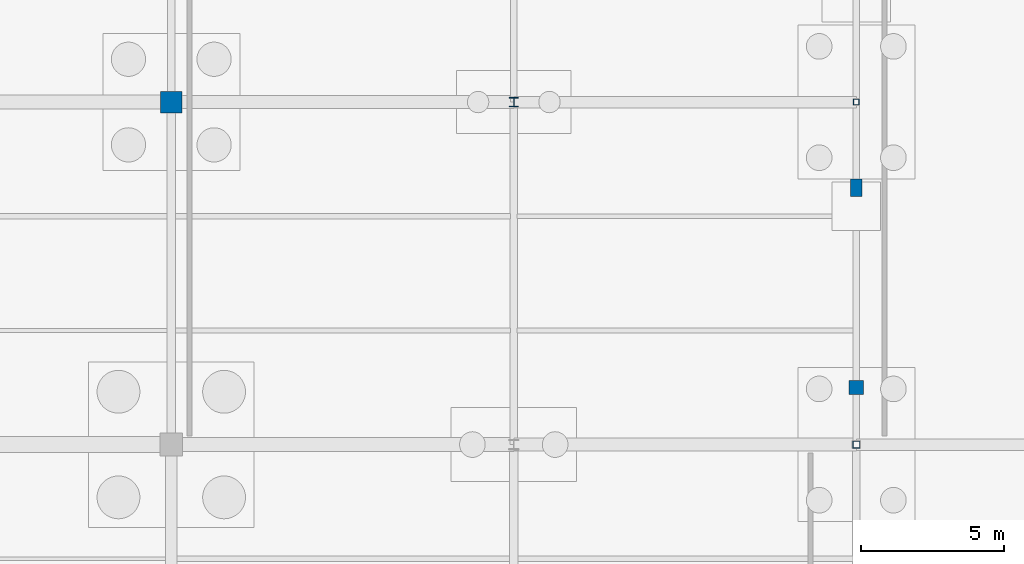
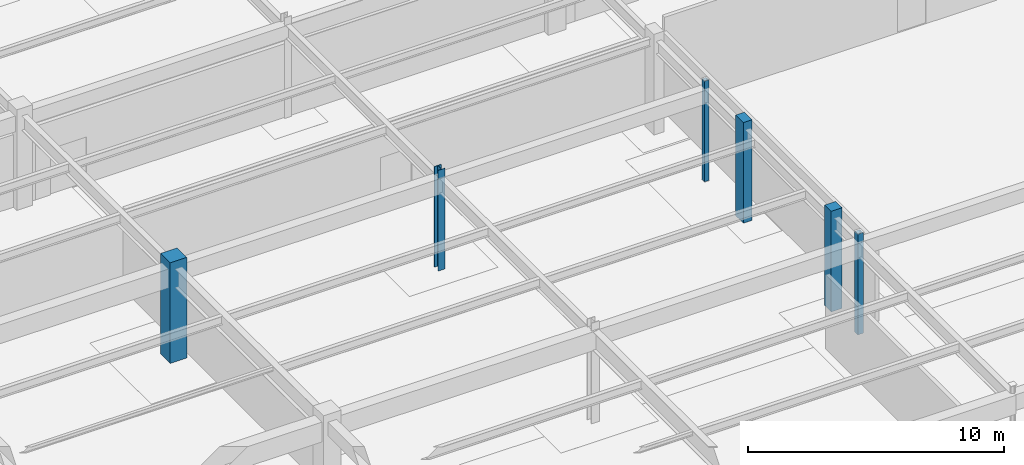
# One storey, part 27 of 136: 6 columns.
"""IFC4 building model written with IfcOpenShell, lengths in metres."""

from ifc_helpers import new_model, si_unit, direction, frame, origin, origin_2d, place, context, subcontext, project, spatial, rectangle, hollow_rectangle, i_section, extrude, material, material_profile, profile_set, type_object, element, save


model = new_model("IFC4")

# Units and contexts
model_context = context("Model", 3, precision=1e-05, world=origin(), true_north=direction((0.0, 1.0)))
body_context = subcontext(model_context, "Body", "Model", "MODEL_VIEW")
ifc_project = project(units=[si_unit("LENGTHUNIT", "METRE"), si_unit("AREAUNIT", "SQUARE_METRE"), si_unit("VOLUMEUNIT", "CUBIC_METRE"), si_unit("PLANEANGLEUNIT", "RADIAN"), si_unit("MASSUNIT", "GRAM", prefix="KILO")], contexts=[model_context])

# Site, building, storey
site_placement = place(None, origin())
site = spatial("IfcSite", under=ifc_project, at=site_placement, CompositionType="ELEMENT")
building_placement = place(site_placement, origin())
building = spatial("IfcBuilding", under=site, at=building_placement, Name="Tarnwether General Hospital", CompositionType="ELEMENT")
storey_placement = place(building_placement, frame((0.0, 0.0, -4.800048828125)))
storey = spatial("IfcBuildingStorey", under=building, at=storey_placement, Name="LG", CompositionType="ELEMENT", Elevation=-4.800048828125)

# Columns
ifc_material_1 = material(Name="Steel Grade 350 (350 MPa)", Category="steel")
ifc_material_profile_1 = material_profile(ifc_material_1, i_section(OverallWidth=0.31103515625, OverallDepth=0.326904296875, WebThickness=0.015625, FlangeThickness=0.02490234375, at=origin_2d()), Name="310UC158")
ifc_profile_set_1 = profile_set([ifc_material_profile_1], Name="Steel Grade 350 (350 MPa)")
column_type_1 = type_object("IfcColumnType", Name="COL-05", PredefinedType="COLUMN", material=ifc_profile_set_1)
column_1_placement = place(storey_placement, frame((96.0, 57.60009765625, 0.0), z_axis=(0.0, 0.0, 1.0), x_axis=(1.0, 0.0, 0.0)))
element("IfcColumn", 1, at=column_1_placement, inside=storey, type_object=column_type_1, Name="Column COLG-LG-9600_5760", PredefinedType="COLUMN", context=body_context, shape_type="SweptSolid", body=[
    extrude(i_section(OverallWidth=0.31103515625, OverallDepth=0.326904296875, WebThickness=0.015625, FlangeThickness=0.02490234375, at=origin_2d()), origin(), (0.0, 0.0, 1.0), 4.800048828125),
])
ifc_material_2 = material(Name="Steel Grade C350L0 (350 MPa)", Category="steel")
ifc_material_profile_2 = material_profile(ifc_material_2, hollow_rectangle(XDim=0.25, YDim=0.25, WallThickness=0.012451171875, at=origin_2d()), Name="SHS250x250x12.5")
ifc_profile_set_2 = profile_set([ifc_material_profile_2], Name="Steel Grade C350L0 (350 MPa)")
column_type_2 = type_object("IfcColumnType", Name="COL-14", PredefinedType="COLUMN", material=ifc_profile_set_2)
column_2_placement = place(storey_placement, frame((108.0, 45.60009765625, 0.0), z_axis=(0.0, 0.0, 1.0), x_axis=(0.0, 1.0, 0.0)))
element("IfcColumn", 2, at=column_2_placement, inside=storey, type_object=column_type_2, Name="Column COLG-LG-10800_4560", PredefinedType="COLUMN", context=body_context, shape_type="SweptSolid", body=[
    extrude(hollow_rectangle(XDim=0.25, YDim=0.25, WallThickness=0.012451171875, at=origin_2d()), origin(), (0.0, 0.0, 1.0), 4.800048828125),
])
ifc_material_3 = material(Name="Steel Grade C350L0 (350 MPa)", Category="steel")
ifc_material_profile_3 = material_profile(ifc_material_3, hollow_rectangle(XDim=0.199951171875, YDim=0.199951171875, WallThickness=0.010009765625, at=origin_2d()), Name="SHS200x200x10")
ifc_profile_set_3 = profile_set([ifc_material_profile_3], Name="Steel Grade C350L0 (350 MPa)")
column_type_3 = type_object("IfcColumnType", Name="COL-15", PredefinedType="COLUMN", material=ifc_profile_set_3)
column_3_placement = place(storey_placement, frame((108.0, 57.60009765625, 0.0), z_axis=(0.0, 0.0, 1.0), x_axis=(0.0, 1.0, 0.0)))
element("IfcColumn", 3, at=column_3_placement, inside=storey, type_object=column_type_3, Name="Column COLG-LG-10800_5760", PredefinedType="COLUMN", context=body_context, shape_type="SweptSolid", body=[
    extrude(hollow_rectangle(XDim=0.199951171875, YDim=0.199951171875, WallThickness=0.010009765625, at=origin_2d()), origin(), (0.0, 0.0, 1.0), 4.800048828125),
])
ifc_material_4 = material(Name="Concrete 50 MPa", Category="concrete")
ifc_material_profile_4 = material_profile(ifc_material_4, rectangle(XDim=0.75, YDim=0.75, at=origin_2d()), Name="RC-COL-750x750")
ifc_profile_set_4 = profile_set([ifc_material_profile_4], Name="Concrete 50 MPa")
column_type_4 = type_object("IfcColumnType", Name="COL-17", PredefinedType="COLUMN", material=ifc_profile_set_4)
column_4_placement = place(storey_placement, frame((84.0, 57.60009765625, 0.0), z_axis=(0.0, 0.0, 1.0), x_axis=(0.0, 1.0, 0.0)))
element("IfcColumn", 4, at=column_4_placement, inside=storey, type_object=column_type_4, Name="Column COLG-LG-8400_5760", PredefinedType="COLUMN", context=body_context, shape_type="SweptSolid", body=[
    extrude(rectangle(XDim=0.75, YDim=0.75, at=origin_2d()), origin(), (0.0, 0.0, 1.0), 4.800048828125),
])
ifc_material_5 = material(Name="Concrete 50 MPa", Category="concrete")
ifc_material_profile_5 = material_profile(ifc_material_5, rectangle(XDim=0.5, YDim=0.5, at=origin_2d()), Name="RC-COL-500x500")
ifc_profile_set_5 = profile_set([ifc_material_profile_5], Name="Concrete 50 MPa")
column_type_5 = type_object("IfcColumnType", Name="COL-20", PredefinedType="COLUMN", material=ifc_profile_set_5)
column_5_placement = place(storey_placement, frame((108.0, 47.60009765625, 0.0), z_axis=(0.0, 0.0, 1.0), x_axis=(1.0, 0.0, 0.0)))
element("IfcColumn", 5, at=column_5_placement, inside=storey, type_object=column_type_5, Name="Column COLG-LG-10800_4760", PredefinedType="COLUMN", context=body_context, shape_type="SweptSolid", body=[
    extrude(rectangle(XDim=0.5, YDim=0.5, at=origin_2d()), origin(), (0.0, 0.0, 1.0), 4.800048828125),
])
ifc_material_6 = material(Name="Concrete 50 MPa", Category="concrete")
ifc_material_profile_6 = material_profile(ifc_material_6, rectangle(XDim=0.39990234375, YDim=0.60009765625, at=origin_2d()), Name="RC-PIL-400x600")
ifc_profile_set_6 = profile_set([ifc_material_profile_6], Name="Concrete 50 MPa")
column_type_6 = type_object("IfcColumnType", Name="COL-21", PredefinedType="PILASTER", material=ifc_profile_set_6)
column_6_placement = place(storey_placement, frame((108.0, 54.60009765625, 0.0), z_axis=(0.0, 0.0, 1.0), x_axis=(1.0, 0.0, 0.0)))
element("IfcColumn", 6, at=column_6_placement, inside=storey, type_object=column_type_6, Name="Column COLG-LG-10800_5460", PredefinedType="PILASTER", context=body_context, shape_type="SweptSolid", body=[
    extrude(rectangle(XDim=0.39990234375, YDim=0.60009765625, at=origin_2d()), origin(), (0.0, 0.0, 1.0), 4.800048828125),
])

save(model, "model.ifc")
